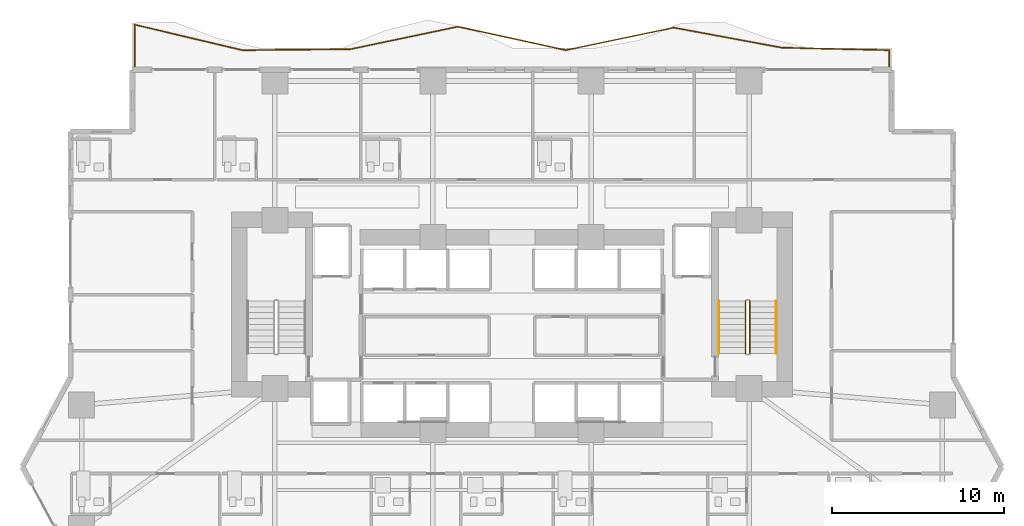
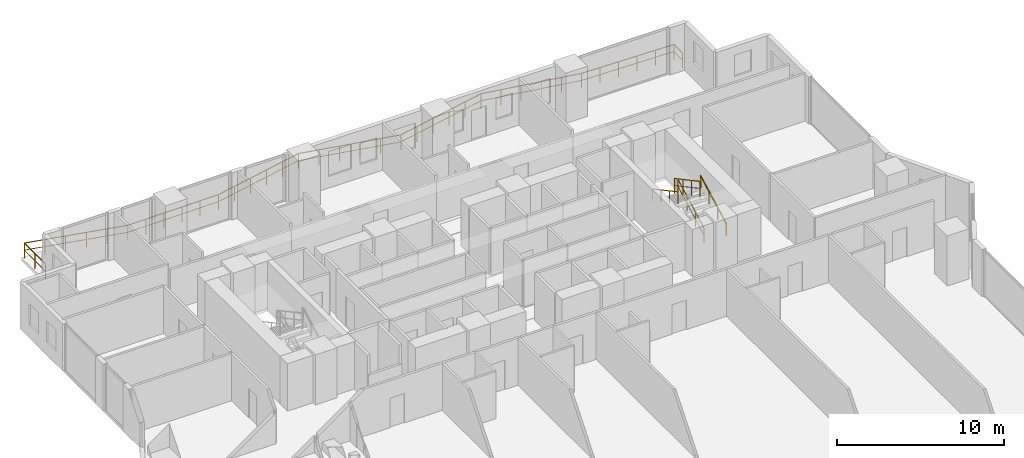
# One storey, part 27 of 29: 5 railings.
"""IFC4 building model written with IfcOpenShell, lengths in metres."""

from ifc_helpers import new_model, si_unit, direction, frame, origin, origin_2d, place, context, subcontext, project, spatial, rectangle, extrude, material, type_object, element, save


model = new_model("IFC4")

# Units and contexts
model_context = context("Model", 3, precision=1e-05, world=origin(), true_north=direction((0.0, 1.0)))
body_context = subcontext(model_context, "Body", "Model", "MODEL_VIEW")
ifc_project = project(units=[si_unit("LENGTHUNIT", "METRE"), si_unit("AREAUNIT", "SQUARE_METRE"), si_unit("VOLUMEUNIT", "CUBIC_METRE"), si_unit("PLANEANGLEUNIT", "RADIAN"), si_unit("MASSUNIT", "GRAM", prefix="KILO")], contexts=[model_context])

# Site, building, storey
site_placement = place(None, origin())
site = spatial("IfcSite", under=ifc_project, at=site_placement, CompositionType="ELEMENT")
building_placement = place(site_placement, origin())
building = spatial("IfcBuilding", under=site, at=building_placement, Name="Zuhayl Quay Hotel", CompositionType="ELEMENT")
storey_placement = place(building_placement, frame((0.0, 0.0, 45.85009765625)))
storey = spatial("IfcBuildingStorey", under=building, at=storey_placement, Name="L10", CompositionType="ELEMENT", Elevation=45.85009765625)

# Railings
ifc_material_1 = material(Name="Anodised Aluminium and Laminated Glass", Category="aluminium")
railing_type_1 = type_object("IfcRailingType", Name="RL_EXT_BAL_1100", PredefinedType="BALUSTRADE", material=ifc_material_1)
railing_1_placement = place(storey_placement, frame((-21.9599609375, 23.219970703125, 0.0)))
element("IfcRailing", 1, at=railing_1_placement, inside=storey, type_object=railing_type_1, Name="L10 Balcony and Terrace Guard GR_L10_BAL_N", PredefinedType="BALUSTRADE", context=body_context, shape_type="SweptSolid", body=[
    extrude(rectangle(XDim=0.048095703125, YDim=0.048095703125, at=origin_2d()), frame((0.0, 0.0, 1.09619140625), z_axis=(0.0, 1.0, 0.0), x_axis=(-1.0, 0.0, 0.0)), (0.0, 0.0, 1.0), 2.505126953125),
    extrude(rectangle(XDim=0.0361328125, YDim=0.0361328125, at=origin_2d()), frame((0.0, 0.0, 0.58251953125), z_axis=(0.0, 1.0, 0.0), x_axis=(-1.0, 0.0, 0.0)), (0.0, 0.0, 1.0), 2.505126953125),
    extrude(rectangle(XDim=0.048095703125, YDim=0.048095703125, at=origin_2d()), frame((0.0, 2.505126953125, 1.09619140625), z_axis=(0.973110894262, -0.230337117001, 0.0), x_axis=(0.230337117001, 0.973110894262, 0.0)), (0.0, 0.0, 1.0), 6.447509765625),
    extrude(rectangle(XDim=0.0361328125, YDim=0.0361328125, at=origin_2d()), frame((0.0, 2.505126953125, 0.58251953125), z_axis=(0.973110894262, -0.230337117001, 0.0), x_axis=(0.230337117001, 0.973110894262, 0.0)), (0.0, 0.0, 1.0), 6.447509765625),
    extrude(rectangle(XDim=0.048095703125, YDim=0.048095703125, at=origin_2d()), frame((6.274169921875, 1.02001953125, 1.09619140625), z_axis=(0.999958905015, 0.009065775287, 0.0), x_axis=(-0.009065775287, 0.999958905015, 0.0)), (0.0, 0.0, 1.0), 6.274658203125),
    extrude(rectangle(XDim=0.0361328125, YDim=0.0361328125, at=origin_2d()), frame((6.274169921875, 1.02001953125, 0.58251953125), z_axis=(0.999958905015, 0.009065775287, 0.0), x_axis=(-0.009065775287, 0.999958905015, 0.0)), (0.0, 0.0, 1.0), 6.274658203125),
    extrude(rectangle(XDim=0.048095703125, YDim=0.048095703125, at=origin_2d()), frame((12.548583984375, 1.076904296875, 1.09619140625), z_axis=(0.978705474775, 0.20526956337, 0.0), x_axis=(-0.20526956337, 0.978705474775, 0.0)), (0.0, 0.0, 1.0), 6.41064453125),
    extrude(rectangle(XDim=0.0361328125, YDim=0.0361328125, at=origin_2d()), frame((12.548583984375, 1.076904296875, 0.58251953125), z_axis=(0.978705474775, 0.20526956337, 0.0), x_axis=(-0.20526956337, 0.978705474775, 0.0)), (0.0, 0.0, 1.0), 6.41064453125),
    extrude(rectangle(XDim=0.048095703125, YDim=0.048095703125, at=origin_2d()), frame((18.82275390625, 2.392822265625, 1.09619140625), z_axis=(0.976891089373, -0.213737688543, 0.0), x_axis=(0.213737688543, 0.976891089373, 0.0)), (0.0, 0.0, 1.0), 6.4228515625),
    extrude(rectangle(XDim=0.0361328125, YDim=0.0361328125, at=origin_2d()), frame((18.82275390625, 2.392822265625, 0.58251953125), z_axis=(0.976891089373, -0.213737688543, 0.0), x_axis=(0.213737688543, 0.976891089373, 0.0)), (0.0, 0.0, 1.0), 6.4228515625),
    extrude(rectangle(XDim=0.048095703125, YDim=0.048095703125, at=origin_2d()), frame((25.09716796875, 1.02001953125, 1.09619140625), z_axis=(0.97878192173, 0.204904733216, 0.0), x_axis=(-0.204904733216, 0.97878192173, 0.0)), (0.0, 0.0, 1.0), 6.41015625),
    extrude(rectangle(XDim=0.0361328125, YDim=0.0361328125, at=origin_2d()), frame((25.09716796875, 1.02001953125, 0.58251953125), z_axis=(0.97878192173, 0.204904733216, 0.0), x_axis=(-0.204904733216, 0.97878192173, 0.0)), (0.0, 0.0, 1.0), 6.41015625),
    extrude(rectangle(XDim=0.048095703125, YDim=0.048095703125, at=origin_2d()), frame((31.371337890625, 2.33349609375, 1.09619140625), z_axis=(0.983215216847, -0.182449547438, 0.0), x_axis=(0.182449547438, 0.983215216847, 0.0)), (0.0, 0.0, 1.0), 6.381591796875),
    extrude(rectangle(XDim=0.0361328125, YDim=0.0361328125, at=origin_2d()), frame((31.371337890625, 2.33349609375, 0.58251953125), z_axis=(0.983215216847, -0.182449547438, 0.0), x_axis=(0.182449547438, 0.983215216847, 0.0)), (0.0, 0.0, 1.0), 6.381591796875),
    extrude(rectangle(XDim=0.048095703125, YDim=0.048095703125, at=origin_2d()), frame((37.645751953125, 1.169189453125, 1.09619140625), z_axis=(0.999717488646, -0.023768527397, 0.0), x_axis=(0.023768527397, 0.999717488646, 0.0)), (0.0, 0.0, 1.0), 6.27587890625),
    extrude(rectangle(XDim=0.0361328125, YDim=0.0361328125, at=origin_2d()), frame((37.645751953125, 1.169189453125, 0.58251953125), z_axis=(0.999717488646, -0.023768527397, 0.0), x_axis=(0.023768527397, 0.999717488646, 0.0)), (0.0, 0.0, 1.0), 6.27587890625),
    extrude(rectangle(XDim=0.048095703125, YDim=0.048095703125, at=origin_2d()), frame((43.919921875, 1.02001953125, 1.09619140625), z_axis=(0.0, -1.0, 0.0), x_axis=(1.0, 0.0, 0.0)), (0.0, 0.0, 1.0), 1.02001953125),
    extrude(rectangle(XDim=0.0361328125, YDim=0.0361328125, at=origin_2d()), frame((43.919921875, 1.02001953125, 0.58251953125), z_axis=(0.0, -1.0, 0.0), x_axis=(1.0, 0.0, 0.0)), (0.0, 0.0, 1.0), 1.02001953125),
    extrude(rectangle(XDim=0.0419921875, YDim=0.0419921875, at=origin_2d()), origin(), (0.0, 0.0, 1.0), 1.072021484375),
    extrude(rectangle(XDim=0.0419921875, YDim=0.0419921875, at=origin_2d()), frame((0.0, 1.25244140625, 0.0)), (0.0, 0.0, 1.0), 1.072021484375),
    extrude(rectangle(XDim=0.0419921875, YDim=0.0419921875, at=origin_2d()), frame((0.0, 2.505126953125, 0.0)), (0.0, 0.0, 1.0), 1.072021484375),
    extrude(rectangle(XDim=0.0419921875, YDim=0.0419921875, at=origin_2d()), frame((1.2548828125, 2.2080078125, 0.0)), (0.0, 0.0, 1.0), 1.072021484375),
    extrude(rectangle(XDim=0.0419921875, YDim=0.0419921875, at=origin_2d()), frame((2.509765625, 1.9111328125, 0.0)), (0.0, 0.0, 1.0), 1.072021484375),
    extrude(rectangle(XDim=0.0419921875, YDim=0.0419921875, at=origin_2d()), frame((3.764404296875, 1.614013671875, 0.0)), (0.0, 0.0, 1.0), 1.072021484375),
    extrude(rectangle(XDim=0.0419921875, YDim=0.0419921875, at=origin_2d()), frame((5.019287109375, 1.317138671875, 0.0)), (0.0, 0.0, 1.0), 1.072021484375),
    extrude(rectangle(XDim=0.0419921875, YDim=0.0419921875, at=origin_2d()), frame((6.274169921875, 1.02001953125, 0.0)), (0.0, 0.0, 1.0), 1.072021484375),
    extrude(rectangle(XDim=0.0419921875, YDim=0.0419921875, at=origin_2d()), frame((7.529052734375, 1.031494140625, 0.0)), (0.0, 0.0, 1.0), 1.072021484375),
    extrude(rectangle(XDim=0.0419921875, YDim=0.0419921875, at=origin_2d()), frame((8.783935546875, 1.042724609375, 0.0)), (0.0, 0.0, 1.0), 1.072021484375),
    extrude(rectangle(XDim=0.0419921875, YDim=0.0419921875, at=origin_2d()), frame((10.038818359375, 1.05419921875, 0.0)), (0.0, 0.0, 1.0), 1.072021484375),
    extrude(rectangle(XDim=0.0419921875, YDim=0.0419921875, at=origin_2d()), frame((11.293701171875, 1.0654296875, 0.0)), (0.0, 0.0, 1.0), 1.072021484375),
    extrude(rectangle(XDim=0.0419921875, YDim=0.0419921875, at=origin_2d()), frame((12.548583984375, 1.076904296875, 0.0)), (0.0, 0.0, 1.0), 1.072021484375),
    extrude(rectangle(XDim=0.0419921875, YDim=0.0419921875, at=origin_2d()), frame((13.803466796875, 1.340087890625, 0.0)), (0.0, 0.0, 1.0), 1.072021484375),
    extrude(rectangle(XDim=0.0419921875, YDim=0.0419921875, at=origin_2d()), frame((15.058349609375, 1.603271484375, 0.0)), (0.0, 0.0, 1.0), 1.072021484375),
    extrude(rectangle(XDim=0.0419921875, YDim=0.0419921875, at=origin_2d()), frame((16.31298828125, 1.866455078125, 0.0)), (0.0, 0.0, 1.0), 1.072021484375),
    extrude(rectangle(XDim=0.0419921875, YDim=0.0419921875, at=origin_2d()), frame((17.56787109375, 2.129638671875, 0.0)), (0.0, 0.0, 1.0), 1.072021484375),
    extrude(rectangle(XDim=0.0419921875, YDim=0.0419921875, at=origin_2d()), frame((18.82275390625, 2.392822265625, 0.0)), (0.0, 0.0, 1.0), 1.072021484375),
    extrude(rectangle(XDim=0.0419921875, YDim=0.0419921875, at=origin_2d()), frame((20.07763671875, 2.1181640625, 0.0)), (0.0, 0.0, 1.0), 1.072021484375),
    extrude(rectangle(XDim=0.0419921875, YDim=0.0419921875, at=origin_2d()), frame((21.33251953125, 1.84375, 0.0)), (0.0, 0.0, 1.0), 1.072021484375),
    extrude(rectangle(XDim=0.0419921875, YDim=0.0419921875, at=origin_2d()), frame((22.58740234375, 1.569091796875, 0.0)), (0.0, 0.0, 1.0), 1.072021484375),
    extrude(rectangle(XDim=0.0419921875, YDim=0.0419921875, at=origin_2d()), frame((23.84228515625, 1.294677734375, 0.0)), (0.0, 0.0, 1.0), 1.072021484375),
    extrude(rectangle(XDim=0.0419921875, YDim=0.0419921875, at=origin_2d()), frame((25.09716796875, 1.02001953125, 0.0)), (0.0, 0.0, 1.0), 1.072021484375),
    extrude(rectangle(XDim=0.0419921875, YDim=0.0419921875, at=origin_2d()), frame((26.35205078125, 1.28271484375, 0.0)), (0.0, 0.0, 1.0), 1.072021484375),
    extrude(rectangle(XDim=0.0419921875, YDim=0.0419921875, at=origin_2d()), frame((27.60693359375, 1.54541015625, 0.0)), (0.0, 0.0, 1.0), 1.072021484375),
    extrude(rectangle(XDim=0.0419921875, YDim=0.0419921875, at=origin_2d()), frame((28.861572265625, 1.80810546875, 0.0)), (0.0, 0.0, 1.0), 1.072021484375),
    extrude(rectangle(XDim=0.0419921875, YDim=0.0419921875, at=origin_2d()), frame((30.116455078125, 2.07080078125, 0.0)), (0.0, 0.0, 1.0), 1.072021484375),
    extrude(rectangle(XDim=0.0419921875, YDim=0.0419921875, at=origin_2d()), frame((31.371337890625, 2.33349609375, 0.0)), (0.0, 0.0, 1.0), 1.072021484375),
    extrude(rectangle(XDim=0.0419921875, YDim=0.0419921875, at=origin_2d()), frame((32.626220703125, 2.1005859375, 0.0)), (0.0, 0.0, 1.0), 1.072021484375),
    extrude(rectangle(XDim=0.0419921875, YDim=0.0419921875, at=origin_2d()), frame((33.881103515625, 1.86767578125, 0.0)), (0.0, 0.0, 1.0), 1.072021484375),
    extrude(rectangle(XDim=0.0419921875, YDim=0.0419921875, at=origin_2d()), frame((35.135986328125, 1.635009765625, 0.0)), (0.0, 0.0, 1.0), 1.072021484375),
    extrude(rectangle(XDim=0.0419921875, YDim=0.0419921875, at=origin_2d()), frame((36.390869140625, 1.402099609375, 0.0)), (0.0, 0.0, 1.0), 1.072021484375),
    extrude(rectangle(XDim=0.0419921875, YDim=0.0419921875, at=origin_2d()), frame((37.645751953125, 1.169189453125, 0.0)), (0.0, 0.0, 1.0), 1.072021484375),
    extrude(rectangle(XDim=0.0419921875, YDim=0.0419921875, at=origin_2d()), frame((38.900634765625, 1.139404296875, 0.0)), (0.0, 0.0, 1.0), 1.072021484375),
    extrude(rectangle(XDim=0.0419921875, YDim=0.0419921875, at=origin_2d()), frame((40.155517578125, 1.109619140625, 0.0)), (0.0, 0.0, 1.0), 1.072021484375),
    extrude(rectangle(XDim=0.0419921875, YDim=0.0419921875, at=origin_2d()), frame((41.41015625, 1.07958984375, 0.0)), (0.0, 0.0, 1.0), 1.072021484375),
    extrude(rectangle(XDim=0.0419921875, YDim=0.0419921875, at=origin_2d()), frame((42.6650390625, 1.0498046875, 0.0)), (0.0, 0.0, 1.0), 1.072021484375),
    extrude(rectangle(XDim=0.0419921875, YDim=0.0419921875, at=origin_2d()), frame((43.919921875, 1.02001953125, 0.0)), (0.0, 0.0, 1.0), 1.072021484375),
    extrude(rectangle(XDim=0.0419921875, YDim=0.0419921875, at=origin_2d()), frame((43.919921875, 0.0, 0.0)), (0.0, 0.0, 1.0), 1.072021484375),
])
ifc_material_2 = material(Name="Steel ASTM A992 Grade 50", Category="steel")
railing_type_2 = type_object("IfcRailingType", Name="RL_GUARD_1100", PredefinedType="GUARDRAIL", material=ifc_material_2)
railing_2_placement = place(storey_placement, frame((13.840087890625, 6.590087890625, 0.182373046875)))
element("IfcRailing", 2, at=railing_2_placement, inside=storey, type_object=railing_type_2, Name="L10 ST2 stair guard 1", PredefinedType="GUARDRAIL", context=body_context, shape_type="SweptSolid", body=[
    extrude(rectangle(XDim=0.048095703125, YDim=0.048095703125, at=origin_2d()), frame((0.0, 0.0, 1.09619140625), z_axis=(0.0, 0.88107310026, 0.472980117973), x_axis=(-1.0, 0.0, 0.0)), (0.0, 0.0, 1.0), 3.472900390625),
    extrude(rectangle(XDim=0.0361328125, YDim=0.0361328125, at=origin_2d()), frame((0.0, 0.0, 0.58251953125), z_axis=(0.0, 0.88107310026, 0.472980117973), x_axis=(-1.0, 0.0, 0.0)), (0.0, 0.0, 1.0), 3.472900390625),
    extrude(rectangle(XDim=0.0419921875, YDim=0.0419921875, at=origin_2d()), origin(), (0.0, 0.0, 1.0), 1.072021484375),
    extrude(rectangle(XDim=0.0419921875, YDim=0.0419921875, at=origin_2d()), frame((0.0, 1.02001953125, 0.547607421875)), (0.0, 0.0, 1.0), 1.072021484375),
    extrude(rectangle(XDim=0.0419921875, YDim=0.0419921875, at=origin_2d()), frame((0.0, 2.039794921875, 1.094970703125)), (0.0, 0.0, 1.0), 1.072021484375),
    extrude(rectangle(XDim=0.0419921875, YDim=0.0419921875, at=origin_2d()), frame((0.0, 3.059814453125, 1.642578125)), (0.0, 0.0, 1.0), 1.072021484375),
])
railing_3_placement = place(storey_placement, frame((13.590087890625, 9.64990234375, 2.00732421875)))
element("IfcRailing", 3, at=railing_3_placement, inside=storey, type_object=railing_type_2, Name="L10 ST2 stair guard 3", PredefinedType="GUARDRAIL", context=body_context, shape_type="SweptSolid", body=[
    extrude(rectangle(XDim=0.048095703125, YDim=0.048095703125, at=origin_2d()), frame((0.0, 0.0, 1.09619140625), z_axis=(0.0, -0.88107310026, 0.472980117973), x_axis=(1.0, 0.0, 0.0)), (0.0, 0.0, 1.0), 3.472900390625),
    extrude(rectangle(XDim=0.0361328125, YDim=0.0361328125, at=origin_2d()), frame((0.0, 0.0, 0.58251953125), z_axis=(0.0, -0.88107310026, 0.472980117973), x_axis=(1.0, 0.0, 0.0)), (0.0, 0.0, 1.0), 3.472900390625),
    extrude(rectangle(XDim=0.0419921875, YDim=0.0419921875, at=origin_2d()), origin(), (0.0, 0.0, 1.0), 1.072021484375),
    extrude(rectangle(XDim=0.0419921875, YDim=0.0419921875, at=origin_2d()), frame((0.0, -1.02001953125, 0.547607421875)), (0.0, 0.0, 1.0), 1.072021484375),
    extrude(rectangle(XDim=0.0419921875, YDim=0.0419921875, at=origin_2d()), frame((0.0, -2.039794921875, 1.094970703125)), (0.0, 0.0, 1.0), 1.072021484375),
    extrude(rectangle(XDim=0.0419921875, YDim=0.0419921875, at=origin_2d()), frame((0.0, -3.059814453125, 1.642578125)), (0.0, 0.0, 1.0), 1.072021484375),
])
railing_type_3 = type_object("IfcRailingType", Name="RL_HANDRAIL_920", PredefinedType="HANDRAIL", material=ifc_material_2)
railing_4_placement = place(storey_placement, frame((15.3798828125, 6.590087890625, 0.182373046875)))
element("IfcRailing", 4, at=railing_4_placement, inside=storey, type_object=railing_type_3, Name="L10 ST2 stair handrail 1", PredefinedType="HANDRAIL", context=body_context, shape_type="SweptSolid", body=[
    extrude(rectangle(XDim=0.048095703125, YDim=0.048095703125, at=origin_2d()), frame((0.0, 0.0, 0.8759765625), z_axis=(0.0, 0.88107310026, 0.472980117973), x_axis=(-1.0, 0.0, 0.0)), (0.0, 0.0, 1.0), 3.472900390625),
    extrude(rectangle(XDim=0.0419921875, YDim=0.0419921875, at=origin_2d()), origin(), (0.0, 0.0, 1.0), 0.851806640625),
    extrude(rectangle(XDim=0.0419921875, YDim=0.0419921875, at=origin_2d()), frame((0.0, 1.02001953125, 0.547607421875)), (0.0, 0.0, 1.0), 0.851806640625),
    extrude(rectangle(XDim=0.0419921875, YDim=0.0419921875, at=origin_2d()), frame((0.0, 2.039794921875, 1.094970703125)), (0.0, 0.0, 1.0), 0.851806640625),
    extrude(rectangle(XDim=0.0419921875, YDim=0.0419921875, at=origin_2d()), frame((0.0, 3.059814453125, 1.642578125)), (0.0, 0.0, 1.0), 0.851806640625),
])
railing_5_placement = place(storey_placement, frame((12.050048828125, 9.64990234375, 2.00732421875)))
element("IfcRailing", 5, at=railing_5_placement, inside=storey, type_object=railing_type_3, Name="L10 ST2 stair handrail 2", PredefinedType="HANDRAIL", context=body_context, shape_type="SweptSolid", body=[
    extrude(rectangle(XDim=0.048095703125, YDim=0.048095703125, at=origin_2d()), frame((0.0, 0.0, 0.8759765625), z_axis=(0.0, -0.88107310026, 0.472980117973), x_axis=(1.0, 0.0, 0.0)), (0.0, 0.0, 1.0), 3.472900390625),
    extrude(rectangle(XDim=0.0419921875, YDim=0.0419921875, at=origin_2d()), origin(), (0.0, 0.0, 1.0), 0.851806640625),
    extrude(rectangle(XDim=0.0419921875, YDim=0.0419921875, at=origin_2d()), frame((0.0, -1.02001953125, 0.547607421875)), (0.0, 0.0, 1.0), 0.851806640625),
    extrude(rectangle(XDim=0.0419921875, YDim=0.0419921875, at=origin_2d()), frame((0.0, -2.039794921875, 1.094970703125)), (0.0, 0.0, 1.0), 0.851806640625),
    extrude(rectangle(XDim=0.0419921875, YDim=0.0419921875, at=origin_2d()), frame((0.0, -3.059814453125, 1.642578125)), (0.0, 0.0, 1.0), 0.851806640625),
])

save(model, "model.ifc")
